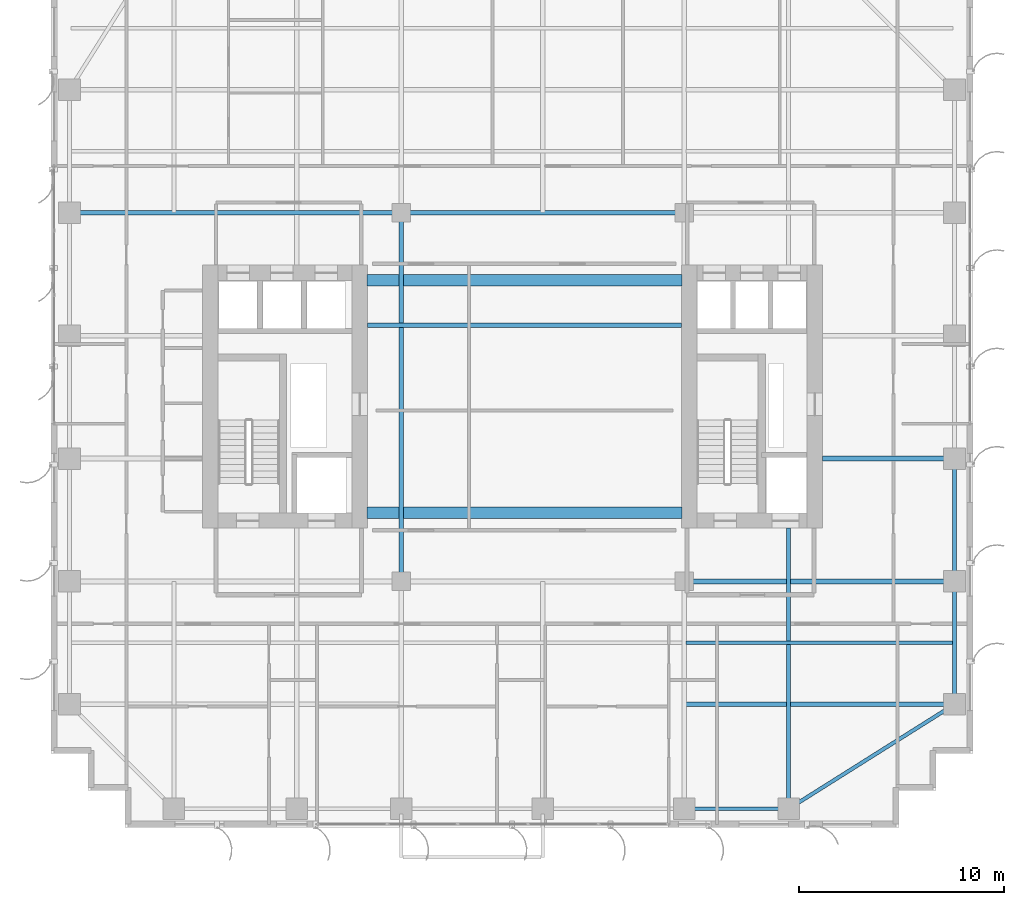
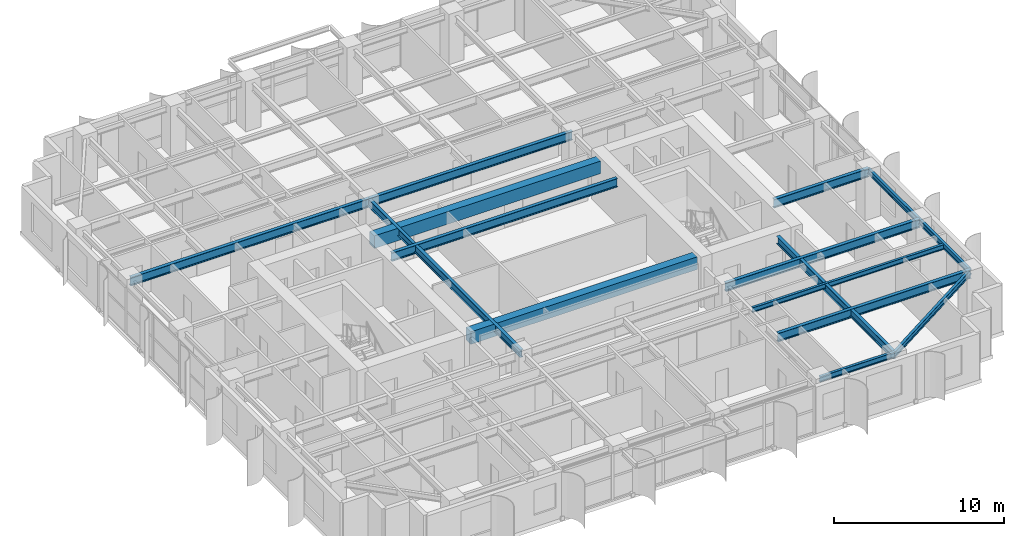
# One storey, part 8 of 27: 15 beams.
"""IFC4 building model written with IfcOpenShell, lengths in metres."""

from ifc_helpers import new_model, si_unit, direction, frame, origin, origin_2d, place, context, subcontext, project, spatial, rectangle, i_section, extrude, source, transform, mapped, material, material_profile, profile_set, type_object, element, save


model = new_model("IFC4")

# Units and contexts
model_context = context("Model", 3, precision=1e-05, world=origin(), true_north=direction((0.0, 1.0)))
body_context = subcontext(model_context, "Body", "Model", "MODEL_VIEW")
ifc_project = project(units=[si_unit("LENGTHUNIT", "METRE"), si_unit("AREAUNIT", "SQUARE_METRE"), si_unit("VOLUMEUNIT", "CUBIC_METRE"), si_unit("PLANEANGLEUNIT", "RADIAN"), si_unit("MASSUNIT", "GRAM", prefix="KILO")], contexts=[model_context])

# Site, building, storey
site_placement = place(None, origin())
site = spatial("IfcSite", under=ifc_project, at=site_placement, CompositionType="ELEMENT")
building_placement = place(site_placement, origin())
building = spatial("IfcBuilding", under=site, at=building_placement, Name="Khoralis Quay Care Tower", CompositionType="ELEMENT")
storey_placement = place(building_placement, frame((0.0, 0.0, 105.300048828125)))
storey = spatial("IfcBuildingStorey", under=building, at=storey_placement, Name="L27", CompositionType="ELEMENT", Elevation=105.300048828125)

# Beams
ifc_material_1 = material(Name="Concrete C65/80", Category="concrete")
ifc_material_profile_1 = material_profile(ifc_material_1, rectangle(XDim=0.550048828125, YDim=0.89990234375, at=origin_2d()), Name="Concrete C65/80")
ifc_profile_set_1 = profile_set([ifc_material_profile_1], Name="Concrete C65/80")
beam_type_1 = type_object("IfcBeamType", Name="CB-RC550X900", PredefinedType="LINTEL", material=ifc_profile_set_1)
shared_shape_1 = source(origin(), body_context, "Body", "SweptSolid", [
    extrude(rectangle(XDim=0.550048828125, YDim=0.89990234375, at=origin_2d()), origin(), (0.0, 0.0, 1.0), 15.380126953125),
])
for number, where, z_axis, x_axis, name in (
    (1, (15.419921875, 15.35009765625, 2.889892578125), (1.0, 0.0, 0.0), (0.0, 1.0, 0.0), "L27 South Core Coupling Lintel"),
    (2, (15.419921875, 26.699951171875, 2.889892578125), (1.0, 0.0, 0.0), (0.0, 1.0, 0.0), "L27 North Core Coupling Lintel"),
):
    element("IfcBeam", number, at=place(storey_placement, frame(where, z_axis=z_axis, x_axis=x_axis)), inside=storey, type_object=beam_type_1, Name=name, PredefinedType="LINTEL", context=body_context, shape_type="MappedRepresentation", body=[
        mapped(shared_shape_1, transform((0.0, 0.0, 0.0), scale=1.0)),
    ])
ifc_material_2 = material(Name="Steel S355", Category="steel")
ifc_material_profile_2 = material_profile(ifc_material_2, i_section(OverallWidth=0.179931640625, OverallDepth=0.39990234375, WebThickness=0.008544921875, FlangeThickness=0.013427734375, FilletRadius=0.02099609375, at=origin_2d()), Name="Steel S355")
ifc_profile_set_2 = profile_set([ifc_material_profile_2], Name="Steel S355")
beam_type_2 = type_object("IfcBeamType", Name="BM-IPE400", PredefinedType="SPANDREL", material=ifc_profile_set_2)
shared_shape_2 = source(origin(), body_context, "Body", "SweptSolid", [
    extrude(i_section(OverallWidth=0.179931640625, OverallDepth=0.39990234375, WebThickness=0.008544921875, FlangeThickness=0.013427734375, FilletRadius=0.02099609375, at=origin_2d()), origin(), (0.0, 0.0, 1.0), 6.0),
])
for number, where, z_axis, x_axis, name in (
    (3, (44.10009765625, 6.0, 3.139892578125), (0.0, 1.0, 0.0), (-1.0, 0.0, 0.0), "BM-TSP-L27-16"),
    (4, (44.10009765625, 12.0, 3.139892578125), (0.0, 1.0, 0.0), (-1.0, 0.0, 0.0), "BM-TSP-L27-17"),
):
    element("IfcBeam", number, at=place(storey_placement, frame(where, z_axis=z_axis, x_axis=x_axis)), inside=storey, type_object=beam_type_2, Name=name, PredefinedType="SPANDREL", context=body_context, shape_type="MappedRepresentation", body=[
        mapped(shared_shape_2, transform((0.0, 0.0, 0.0), scale=1.0)),
    ])
shared_shape_3 = source(origin(), body_context, "Body", "SweptSolid", [
    extrude(i_section(OverallWidth=0.179931640625, OverallDepth=0.39990234375, WebThickness=0.008544921875, FlangeThickness=0.013427734375, FilletRadius=0.02099609375, at=origin_2d()), origin(), (0.0, 0.0, 1.0), 5.10009765625),
])
beam_1_placement = place(storey_placement, frame((30.89990234375, 0.89990234375, 3.139892578125), z_axis=(1.0, 0.0, 0.0), x_axis=(0.0, 1.0, 0.0)))
element("IfcBeam", 5, at=beam_1_placement, inside=storey, type_object=beam_type_2, Name="BM-TSP-L27-05", PredefinedType="SPANDREL", context=body_context, shape_type="MappedRepresentation", body=[
    mapped(shared_shape_3, transform((0.0, 0.0, 0.0), scale=1.0)),
])
shared_shape_4 = source(origin(), body_context, "Body", "SweptSolid", [
    extrude(i_section(OverallWidth=0.179931640625, OverallDepth=0.39990234375, WebThickness=0.008544921875, FlangeThickness=0.013427734375, FilletRadius=0.02099609375, at=origin_2d()), origin(), (0.0, 0.0, 1.0), 9.572021484375),
])
beam_2_placement = place(storey_placement, frame((36.0, 0.89990234375, 3.139892578125), z_axis=(0.846231136359, 0.532815975602, 0.0), x_axis=(-0.532815975602, 0.846231136359, 0.0)))
element("IfcBeam", 6, at=beam_2_placement, inside=storey, type_object=beam_type_2, Name="BM-TCR-L27-22", PredefinedType="SPANDREL", context=body_context, shape_type="MappedRepresentation", body=[
    mapped(shared_shape_4, transform((0.0, 0.0, 0.0), scale=1.0)),
])
ifc_material_profile_3 = material_profile(ifc_material_2, i_section(OverallWidth=0.22998046875, OverallDepth=0.616943359375, WebThickness=0.01318359375, FlangeThickness=0.022216796875, FilletRadius=0.01806640625, at=origin_2d()), Name="Steel S355")
ifc_profile_set_3 = profile_set([ifc_material_profile_3], Name="Steel S355")
beam_type_3 = type_object("IfcBeamType", Name="BM-W610X140", PredefinedType="BEAM", material=ifc_profile_set_3)
shared_shape_5 = source(origin(), body_context, "Body", "SweptSolid", [
    extrude(i_section(OverallWidth=0.22998046875, OverallDepth=0.616943359375, WebThickness=0.01318359375, FlangeThickness=0.022216796875, FilletRadius=0.01806640625, at=origin_2d()), origin(), (0.0, 0.0, 1.0), 16.2001953125),
])
beam_3_placement = place(storey_placement, frame((0.89990234375, 30.0, 3.031494140625), z_axis=(1.0, 0.0, 0.0), x_axis=(0.0, 1.0, 0.0)))
element("IfcBeam", 7, at=beam_3_placement, inside=storey, type_object=beam_type_3, Name="BM-TGXW-L27-300", PredefinedType="BEAM", context=body_context, shape_type="MappedRepresentation", body=[
    mapped(shared_shape_5, transform((0.0, 0.0, 0.0), scale=1.0)),
])
shared_shape_6 = source(origin(), body_context, "Body", "SweptSolid", [
    extrude(i_section(OverallWidth=0.22998046875, OverallDepth=0.616943359375, WebThickness=0.01318359375, FlangeThickness=0.022216796875, FilletRadius=0.01806640625, at=origin_2d()), origin(), (0.0, 0.0, 1.0), 13.106201171875),
])
beam_4_placement = place(storey_placement, frame((30.993896484375, 6.0, 3.031494140625), z_axis=(1.0, 0.0, 0.0), x_axis=(0.0, 1.0, 0.0)))
element("IfcBeam", 8, at=beam_4_placement, inside=storey, type_object=beam_type_3, Name="BM-TGXE-L27-60", PredefinedType="BEAM", context=body_context, shape_type="MappedRepresentation", body=[
    mapped(shared_shape_6, transform((0.0, 0.0, 0.0), scale=1.0)),
])
shared_shape_7 = source(origin(), body_context, "Body", "SweptSolid", [
    extrude(i_section(OverallWidth=0.22998046875, OverallDepth=0.616943359375, WebThickness=0.01318359375, FlangeThickness=0.022216796875, FilletRadius=0.01806640625, at=origin_2d()), origin(), (0.0, 0.0, 1.0), 13.2001953125),
])
beam_5_placement = place(storey_placement, frame((30.89990234375, 12.0, 3.031494140625), z_axis=(1.0, 0.0, 0.0), x_axis=(0.0, 1.0, 0.0)))
element("IfcBeam", 9, at=beam_5_placement, inside=storey, type_object=beam_type_3, Name="BM-TGXE-L27-120", PredefinedType="BEAM", context=body_context, shape_type="MappedRepresentation", body=[
    mapped(shared_shape_7, transform((0.0, 0.0, 0.0), scale=1.0)),
])
shared_shape_8 = source(origin(), body_context, "Body", "SweptSolid", [
    extrude(i_section(OverallWidth=0.22998046875, OverallDepth=0.616943359375, WebThickness=0.01318359375, FlangeThickness=0.022216796875, FilletRadius=0.01806640625, at=origin_2d()), origin(), (0.0, 0.0, 1.0), 6.4521484375),
])
beam_6_placement = place(storey_placement, frame((37.64794921875, 18.0, 3.031494140625), z_axis=(1.0, 0.0, 0.0), x_axis=(0.0, 1.0, 0.0)))
element("IfcBeam", 10, at=beam_6_placement, inside=storey, type_object=beam_type_3, Name="BM-TGXE-L27-180", PredefinedType="BEAM", context=body_context, shape_type="MappedRepresentation", body=[
    mapped(shared_shape_8, transform((0.0, 0.0, 0.0), scale=1.0)),
])
shared_shape_9 = source(origin(), body_context, "Body", "SweptSolid", [
    extrude(i_section(OverallWidth=0.22998046875, OverallDepth=0.616943359375, WebThickness=0.01318359375, FlangeThickness=0.022216796875, FilletRadius=0.01806640625, at=origin_2d()), origin(), (0.0, 0.0, 1.0), 13.7998046875),
])
beam_7_placement = place(storey_placement, frame((17.10009765625, 30.0, 3.031494140625), z_axis=(1.0, 0.0, 0.0), x_axis=(0.0, 1.0, 0.0)))
element("IfcBeam", 11, at=beam_7_placement, inside=storey, type_object=beam_type_3, Name="BM-TGCC-L27-300", PredefinedType="BEAM", context=body_context, shape_type="MappedRepresentation", body=[
    mapped(shared_shape_9, transform((0.0, 0.0, 0.0), scale=1.0)),
])
shared_shape_10 = source(origin(), body_context, "Body", "SweptSolid", [
    extrude(i_section(OverallWidth=0.22998046875, OverallDepth=0.616943359375, WebThickness=0.01318359375, FlangeThickness=0.022216796875, FilletRadius=0.01806640625, at=origin_2d()), origin(), (0.0, 0.0, 1.0), 15.323974609375),
])
beam_8_placement = place(storey_placement, frame((15.447998046875, 24.5, 3.031494140625), z_axis=(1.0, 0.0, 0.0), x_axis=(0.0, 1.0, 0.0)))
element("IfcBeam", 12, at=beam_8_placement, inside=storey, type_object=beam_type_3, Name="BM-TGCC-L27-245", PredefinedType="BEAM", context=body_context, shape_type="MappedRepresentation", body=[
    mapped(shared_shape_10, transform((0.0, 0.0, 0.0), scale=1.0)),
])
ifc_material_profile_4 = material_profile(ifc_material_2, i_section(OverallWidth=0.2119140625, OverallDepth=0.5439453125, WebThickness=0.01318359375, FlangeThickness=0.021240234375, FilletRadius=0.01611328125, at=origin_2d()), Name="Steel S355")
ifc_profile_set_4 = profile_set([ifc_material_profile_4], Name="Steel S355")
beam_type_4 = type_object("IfcBeamType", Name="BM-W530X123", PredefinedType="BEAM", material=ifc_profile_set_4)
shared_shape_11 = source(origin(), body_context, "Body", "SweptSolid", [
    extrude(i_section(OverallWidth=0.2119140625, OverallDepth=0.5439453125, WebThickness=0.01318359375, FlangeThickness=0.021240234375, FilletRadius=0.01611328125, at=origin_2d()), origin(), (0.0, 0.0, 1.0), 13.7021484375),
])
beam_9_placement = place(storey_placement, frame((36.0, 0.89990234375, 3.06787109375), z_axis=(0.0, 1.0, 0.0), x_axis=(-1.0, 0.0, 0.0)))
element("IfcBeam", 13, at=beam_9_placement, inside=storey, type_object=beam_type_4, Name="BM-TGYS-L27-360", PredefinedType="BEAM", context=body_context, shape_type="MappedRepresentation", body=[
    mapped(shared_shape_11, transform((0.0, 0.0, 0.0), scale=1.0)),
])
shared_shape_12 = source(origin(), body_context, "Body", "SweptSolid", [
    extrude(i_section(OverallWidth=0.2119140625, OverallDepth=0.5439453125, WebThickness=0.01318359375, FlangeThickness=0.021240234375, FilletRadius=0.01611328125, at=origin_2d()), origin(), (0.0, 0.0, 1.0), 18.0),
])
beam_10_placement = place(storey_placement, frame((17.10009765625, 12.0, 3.06787109375), z_axis=(0.0, 1.0, 0.0), x_axis=(-1.0, 0.0, 0.0)))
element("IfcBeam", 14, at=beam_10_placement, inside=storey, type_object=beam_type_4, Name="BM-TGSW-L27", PredefinedType="BEAM", context=body_context, shape_type="MappedRepresentation", body=[
    mapped(shared_shape_12, transform((0.0, 0.0, 0.0), scale=1.0)),
])
ifc_material_profile_5 = material_profile(ifc_material_2, i_section(OverallWidth=0.1708984375, OverallDepth=0.35498046875, WebThickness=0.007080078125, FlangeThickness=0.01171875, FilletRadius=0.012939453125, at=origin_2d()), Name="Steel S355")
ifc_profile_set_5 = profile_set([ifc_material_profile_5], Name="Steel S355")
beam_type_5 = type_object("IfcBeamType", Name="BM-W360X51", PredefinedType="JOIST", material=ifc_profile_set_5)
shared_shape_13 = source(origin(), body_context, "Body", "SweptSolid", [
    extrude(i_section(OverallWidth=0.1708984375, OverallDepth=0.35498046875, WebThickness=0.007080078125, FlangeThickness=0.01171875, FilletRadius=0.012939453125, at=origin_2d()), origin(), (0.0, 0.0, 1.0), 13.030029296875),
])
beam_11_placement = place(storey_placement, frame((30.993896484375, 9.0, 3.162353515625), z_axis=(1.0, 0.0, 0.0), x_axis=(0.0, 1.0, 0.0)))
element("IfcBeam", 15, at=beam_11_placement, inside=storey, type_object=beam_type_5, Name="BM-TJS-L27-26", PredefinedType="JOIST", context=body_context, shape_type="MappedRepresentation", body=[
    mapped(shared_shape_13, transform((0.0, 0.0, 0.0), scale=1.0)),
])

save(model, "model.ifc")
